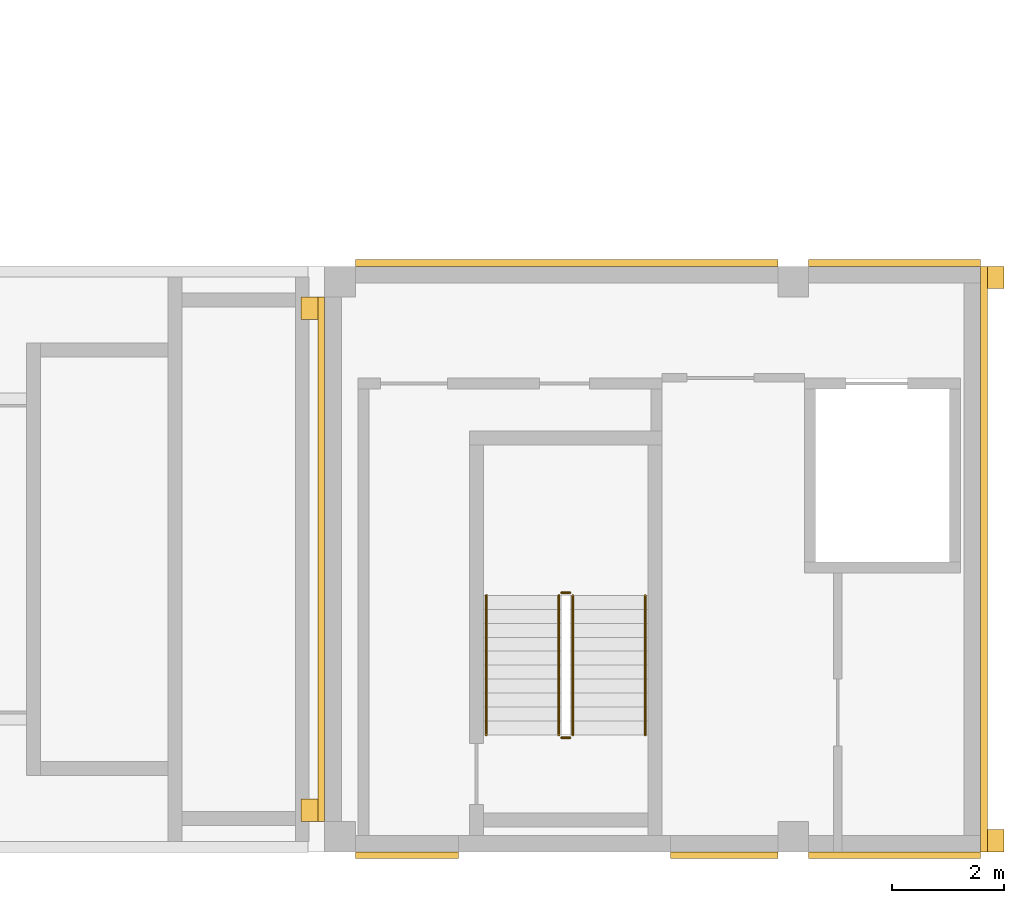
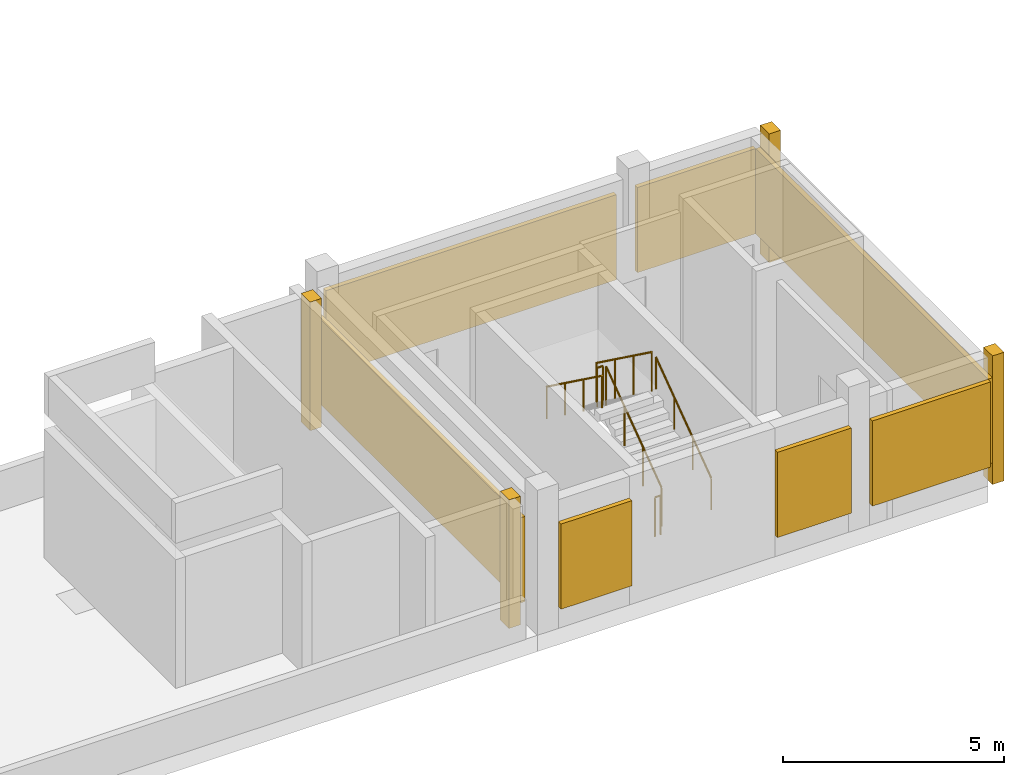
# One storey, part 3 of 4: 11 coverings, 6 railings.
"""IFC4 building model written with IfcOpenShell, lengths in metres."""

from ifc_helpers import new_model, si_unit, direction, frame, origin, origin_2d, place, context, subcontext, project, spatial, rectangle, circle, extrude, source, transform, mapped, material, type_object, element, save


model = new_model("IFC4")

# Units and contexts
model_context = context("Model", 3, precision=1e-05, world=origin(), true_north=direction((0.0, 1.0)))
body_context = subcontext(model_context, "Body", "Model", "MODEL_VIEW")
ifc_project = project(units=[si_unit("LENGTHUNIT", "METRE"), si_unit("AREAUNIT", "SQUARE_METRE"), si_unit("VOLUMEUNIT", "CUBIC_METRE"), si_unit("PLANEANGLEUNIT", "RADIAN"), si_unit("MASSUNIT", "GRAM", prefix="KILO")], contexts=[model_context])

# Site, building, storey
site_placement = place(None, origin())
site = spatial("IfcSite", under=ifc_project, at=site_placement, CompositionType="ELEMENT")
building_placement = place(site_placement, origin())
building = spatial("IfcBuilding", under=site, at=building_placement, Name="Aurelian Terraces", CompositionType="ELEMENT")
storey_placement = place(building_placement, frame((0.0, 0.0, 376.5)))
storey = spatial("IfcBuildingStorey", under=building, at=storey_placement, Name="L90", CompositionType="ELEMENT", Elevation=376.5)

# Coverings
ifc_material_1 = material(Name="Terracotta rainscreen cladding louvre blades", Category="masonry")
covering_type_1 = type_object("IfcCoveringType", Name="LOUVRE-TC", PredefinedType="CLADDING", material=ifc_material_1)
covering_1_placement = place(storey_placement, frame((39.275, -0.06, 0.6), z_axis=(0.0, 0.0, 1.0), x_axis=(1.0, 0.0, 0.0)))
element("IfcCovering", 1, at=covering_1_placement, inside=storey, type_object=covering_type_1, Name="LOUVRE L90 F01", PredefinedType="CLADDING", context=body_context, shape_type="SweptSolid", body=[
    extrude(rectangle(XDim=1.85, YDim=0.12, at=origin_2d()), origin(), (0.0, 0.0, 1.0), 2.35),
])
covering_2_placement = place(storey_placement, frame((37.74, 5.25, 0.6), z_axis=(0.0, 0.0, 1.0), x_axis=(1.0, 0.0, 0.0)))
element("IfcCovering", 2, at=covering_2_placement, inside=storey, type_object=covering_type_1, Name="LOUVRE L90 F04", PredefinedType="CLADDING", context=body_context, shape_type="SweptSolid", body=[
    extrude(rectangle(XDim=0.12, YDim=9.4, at=origin_2d()), origin(), (0.0, 0.0, 1.0), 2.35),
])
shared_shape_1 = source(origin(), body_context, "Body", "SweptSolid", [
    extrude(rectangle(XDim=1.925, YDim=0.12, at=origin_2d()), origin(), (0.0, 0.0, 1.0), 2.35),
])
covering_3_placement = place(storey_placement, frame((44.9625, -0.06, 0.6), z_axis=(0.0, 0.0, 1.0), x_axis=(1.0, 0.0, 0.0)))
element("IfcCovering", 3, at=covering_3_placement, inside=storey, type_object=covering_type_1, Name="LOUVRE L90 F01", PredefinedType="CLADDING", context=body_context, shape_type="MappedRepresentation", body=[
    mapped(shared_shape_1, transform((0.0, 0.0, 0.0), scale=1.0)),
])
ifc_material_2 = material(Name="Terracotta rainscreen cladding relief", Category="masonry")
covering_type_2 = type_object("IfcCoveringType", Name="FIN-TC", PredefinedType="CLADDING", material=ifc_material_2)
shared_shape_2 = source(origin(), body_context, "Body", "SweptSolid", [
    extrude(rectangle(XDim=0.3, YDim=0.4, at=origin_2d()), origin(), (0.0, 0.0, 1.0), 3.55),
])
for number, where, z_axis, x_axis, name in (
    (4, (49.83, 0.2, 0.0), (0.0, 0.0, 1.0), (1.0, 0.0, 0.0), "FIN crown L90 F02"),
    (5, (49.83, 10.3, 0.0), (0.0, 0.0, 1.0), (1.0, 0.0, 0.0), "FIN crown L90 F02"),
    (6, (37.53, 9.75, 0.0), (0.0, 0.0, 1.0), (1.0, 0.0, 0.0), "FIN crown L90 F04"),
    (7, (37.53, 0.75, 0.0), (0.0, 0.0, 1.0), (1.0, 0.0, 0.0), "FIN crown L90 F04"),
):
    element("IfcCovering", number, at=place(storey_placement, frame(where, z_axis=z_axis, x_axis=x_axis)), inside=storey, type_object=covering_type_2, Name=name, PredefinedType="CLADDING", context=body_context, shape_type="MappedRepresentation", body=[
        mapped(shared_shape_2, transform((0.0, 0.0, 0.0), scale=1.0)),
    ])
shared_shape_3 = source(origin(), body_context, "Body", "SweptSolid", [
    extrude(rectangle(XDim=3.085, YDim=0.12, at=origin_2d()), origin(), (0.0, 0.0, 1.0), 2.35),
])
for number, where, z_axis, x_axis, name in (
    (8, (48.0175, -0.06, 0.6), (0.0, 0.0, 1.0), (1.0, 0.0, 0.0), "LOUVRE L90 F01"),
    (9, (48.0175, 10.56, 0.6), (0.0, 0.0, 1.0), (1.0, 0.0, 0.0), "LOUVRE L90 F03"),
):
    element("IfcCovering", number, at=place(storey_placement, frame(where, z_axis=z_axis, x_axis=x_axis)), inside=storey, type_object=covering_type_1, Name=name, PredefinedType="CLADDING", context=body_context, shape_type="MappedRepresentation", body=[
        mapped(shared_shape_3, transform((0.0, 0.0, 0.0), scale=1.0)),
    ])
shared_shape_4 = source(origin(), body_context, "Body", "SweptSolid", [
    extrude(rectangle(XDim=0.12, YDim=10.5, at=origin_2d()), origin(), (0.0, 0.0, 1.0), 2.35),
])
covering_4_placement = place(storey_placement, frame((49.62, 5.25, 0.6), z_axis=(0.0, 0.0, 1.0), x_axis=(1.0, 0.0, 0.0)))
element("IfcCovering", 10, at=covering_4_placement, inside=storey, type_object=covering_type_1, Name="LOUVRE L90 F02", PredefinedType="CLADDING", context=body_context, shape_type="MappedRepresentation", body=[
    mapped(shared_shape_4, transform((0.0, 0.0, 0.0), scale=1.0)),
])
shared_shape_5 = source(origin(), body_context, "Body", "SweptSolid", [
    extrude(rectangle(XDim=7.575, YDim=0.12, at=origin_2d()), origin(), (0.0, 0.0, 1.0), 2.35),
])
covering_5_placement = place(storey_placement, frame((42.1375, 10.56, 0.6), z_axis=(0.0, 0.0, 1.0), x_axis=(1.0, 0.0, 0.0)))
element("IfcCovering", 11, at=covering_5_placement, inside=storey, type_object=covering_type_1, Name="LOUVRE L90 F03", PredefinedType="CLADDING", context=body_context, shape_type="MappedRepresentation", body=[
    mapped(shared_shape_5, transform((0.0, 0.0, 0.0), scale=1.0)),
])

# Railings
ifc_material_3 = material(Name="Stainless steel", Category="steel")
railing_type_1 = type_object("IfcRailingType", Name="Stair guard 1100", PredefinedType="GUARDRAIL", material=ifc_material_3)
shared_shape_6 = source(origin(), body_context, "Body", "SweptSolid", [
    extrude(circle(Radius=0.024, at=origin_2d()), frame((0.0, 0.0, 1.076), z_axis=(-1.0, 0.0, 0.0), x_axis=(0.0, -1.0, 0.0)), (0.0, 0.0, 1.0), 0.15),
    extrude(circle(Radius=0.021, at=origin_2d()), origin(), (0.0, 0.0, 1.0), 1.052),
    extrude(circle(Radius=0.021, at=origin_2d()), frame((-0.15, 0.0, 0.0)), (0.0, 0.0, 1.0), 1.052),
])
for number, where, name in (
    (12, (42.2, 4.65, 2.0), "L90 S2 stair guard 2"),
    (13, (42.2, 2.05, 0.0), "L90 S2 stair guard 4"),
):
    element("IfcRailing", number, at=place(storey_placement, frame(where)), inside=storey, type_object=railing_type_1, Name=name, PredefinedType="GUARDRAIL", context=body_context, shape_type="MappedRepresentation", body=[
        mapped(shared_shape_6, transform((0.0, 0.0, 0.0), scale=1.0)),
    ])
shared_shape_7 = source(origin(), body_context, "Body", "SweptSolid", [
    extrude(circle(Radius=0.024, at=origin_2d()), frame((0.0, 0.0, 1.076), z_axis=(0.0, 0.808733286514, 0.588175544616), x_axis=(-1.0, 0.0, 0.0)), (0.0, 0.0, 1.0), 3.0913),
    extrude(circle(Radius=0.021, at=origin_2d()), origin(), (0.0, 0.0, 1.0), 1.052),
    extrude(circle(Radius=0.021, at=origin_2d()), frame((0.0, 0.8333, 0.6061)), (0.0, 0.0, 1.0), 1.052),
    extrude(circle(Radius=0.021, at=origin_2d()), frame((0.0, 1.6667, 1.2121)), (0.0, 0.0, 1.0), 1.052),
    extrude(circle(Radius=0.021, at=origin_2d()), frame((0.0, 2.5, 1.8182)), (0.0, 0.0, 1.0), 1.052),
])
railing_1_placement = place(storey_placement, frame((42.25, 2.1, 0.1818)))
element("IfcRailing", 14, at=railing_1_placement, inside=storey, type_object=railing_type_1, Name="L90 S2 stair guard 1", PredefinedType="GUARDRAIL", context=body_context, shape_type="MappedRepresentation", body=[
    mapped(shared_shape_7, transform((0.0, 0.0, 0.0), scale=1.0)),
])
shared_shape_8 = source(origin(), body_context, "Body", "SweptSolid", [
    extrude(circle(Radius=0.024, at=origin_2d()), frame((0.0, 0.0, 1.076), z_axis=(0.0, -0.808733286514, 0.588175544616), x_axis=(1.0, 0.0, 0.0)), (0.0, 0.0, 1.0), 3.0913),
    extrude(circle(Radius=0.021, at=origin_2d()), origin(), (0.0, 0.0, 1.0), 1.052),
    extrude(circle(Radius=0.021, at=origin_2d()), frame((0.0, -0.8333, 0.6061)), (0.0, 0.0, 1.0), 1.052),
    extrude(circle(Radius=0.021, at=origin_2d()), frame((0.0, -1.6667, 1.2121)), (0.0, 0.0, 1.0), 1.052),
    extrude(circle(Radius=0.021, at=origin_2d()), frame((0.0, -2.5, 1.8182)), (0.0, 0.0, 1.0), 1.052),
])
railing_2_placement = place(storey_placement, frame((42.0, 4.6, 2.1818)))
element("IfcRailing", 15, at=railing_2_placement, inside=storey, type_object=railing_type_1, Name="L90 S2 stair guard 3", PredefinedType="GUARDRAIL", context=body_context, shape_type="MappedRepresentation", body=[
    mapped(shared_shape_8, transform((0.0, 0.0, 0.0), scale=1.0)),
])
railing_type_2 = type_object("IfcRailingType", Name="Stair handrail", PredefinedType="HANDRAIL", material=ifc_material_3)
shared_shape_9 = source(origin(), body_context, "Body", "SweptSolid", [
    extrude(circle(Radius=0.024, at=origin_2d()), frame((0.0, 0.0, 0.876), z_axis=(0.0, 0.808733286514, 0.588175544616), x_axis=(-1.0, 0.0, 0.0)), (0.0, 0.0, 1.0), 3.0913),
    extrude(circle(Radius=0.021, at=origin_2d()), origin(), (0.0, 0.0, 1.0), 0.852),
    extrude(circle(Radius=0.021, at=origin_2d()), frame((0.0, 0.8333, 0.6061)), (0.0, 0.0, 1.0), 0.852),
    extrude(circle(Radius=0.021, at=origin_2d()), frame((0.0, 1.6667, 1.2121)), (0.0, 0.0, 1.0), 0.852),
    extrude(circle(Radius=0.021, at=origin_2d()), frame((0.0, 2.5, 1.8182)), (0.0, 0.0, 1.0), 0.852),
])
railing_3_placement = place(storey_placement, frame((43.55, 2.1, 0.1818)))
element("IfcRailing", 16, at=railing_3_placement, inside=storey, type_object=railing_type_2, Name="L90 S2 stair handrail 1", PredefinedType="HANDRAIL", context=body_context, shape_type="MappedRepresentation", body=[
    mapped(shared_shape_9, transform((0.0, 0.0, 0.0), scale=1.0)),
])
shared_shape_10 = source(origin(), body_context, "Body", "SweptSolid", [
    extrude(circle(Radius=0.024, at=origin_2d()), frame((0.0, 0.0, 0.876), z_axis=(0.0, -0.808733286514, 0.588175544616), x_axis=(1.0, 0.0, 0.0)), (0.0, 0.0, 1.0), 3.0913),
    extrude(circle(Radius=0.021, at=origin_2d()), origin(), (0.0, 0.0, 1.0), 0.852),
    extrude(circle(Radius=0.021, at=origin_2d()), frame((0.0, -0.8333, 0.6061)), (0.0, 0.0, 1.0), 0.852),
    extrude(circle(Radius=0.021, at=origin_2d()), frame((0.0, -1.6667, 1.2121)), (0.0, 0.0, 1.0), 0.852),
    extrude(circle(Radius=0.021, at=origin_2d()), frame((0.0, -2.5, 1.8182)), (0.0, 0.0, 1.0), 0.852),
])
railing_4_placement = place(storey_placement, frame((40.7, 4.6, 2.1818)))
element("IfcRailing", 17, at=railing_4_placement, inside=storey, type_object=railing_type_2, Name="L90 S2 stair handrail 2", PredefinedType="HANDRAIL", context=body_context, shape_type="MappedRepresentation", body=[
    mapped(shared_shape_10, transform((0.0, 0.0, 0.0), scale=1.0)),
])

save(model, "model.ifc")
